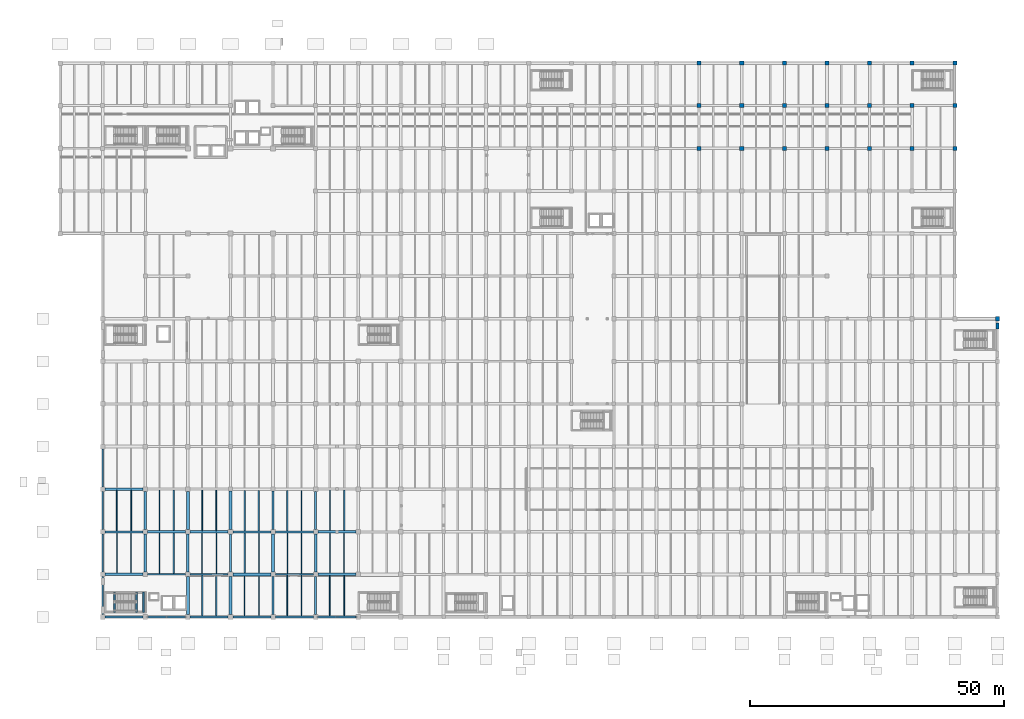
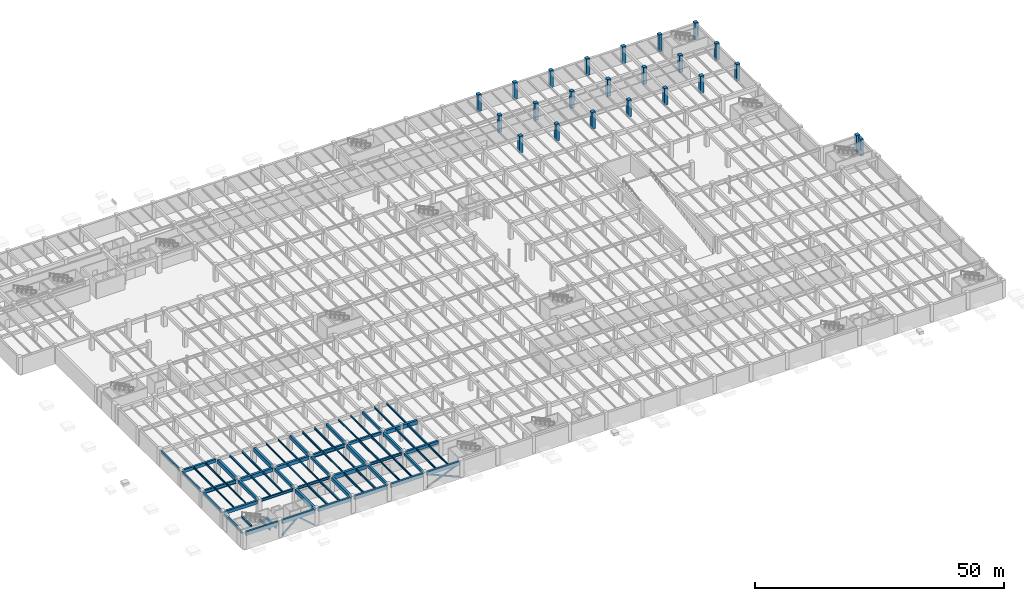
# One storey, part 14 of 63: 72 beams, 23 columns, 5 members.
"""IFC4 building model written with IfcOpenShell, lengths in metres."""

from ifc_helpers import new_model, si_unit, direction, frame, origin, origin_2d, place, context, subcontext, project, spatial, rectangle, hollow_rectangle, i_section, extrude, material, material_profile, profile_set, type_object, element, save


model = new_model("IFC4")

# Units and contexts
model_context = context("Model", 3, precision=1e-05, world=origin(), true_north=direction((0.0, 1.0)))
body_context = subcontext(model_context, "Body", "Model", "MODEL_VIEW")
ifc_project = project(units=[si_unit("LENGTHUNIT", "METRE"), si_unit("AREAUNIT", "SQUARE_METRE"), si_unit("VOLUMEUNIT", "CUBIC_METRE"), si_unit("PLANEANGLEUNIT", "RADIAN"), si_unit("MASSUNIT", "GRAM", prefix="KILO")], contexts=[model_context])

# Site, building, storey
site_placement = place(None, origin())
site = spatial("IfcSite", under=ifc_project, at=site_placement, CompositionType="ELEMENT")
building_placement = place(site_placement, origin())
building = spatial("IfcBuilding", under=site, at=building_placement, Name="Cumbredor Promenade Congress Hotel", CompositionType="ELEMENT")
storey_placement = place(building_placement, frame((0.0, 0.0, -4.199951171875)))
storey = spatial("IfcBuildingStorey", under=building, at=storey_placement, Name="B01", CompositionType="ELEMENT", Elevation=-4.199951171875)

# Columns
ifc_material_1 = material(Name="Concrete C50/60", Category="concrete")
ifc_material_profile_1 = material_profile(ifc_material_1, rectangle(XDim=0.800048828125, YDim=0.800048828125, at=origin_2d()), Name="RC 800x800")
ifc_profile_set_1 = profile_set([ifc_material_profile_1], Name="Concrete C50/60")
column_type_1 = type_object("IfcColumnType", Name="COL-RC-800", PredefinedType="COLUMN", material=ifc_profile_set_1)
for number, where, z_axis, x_axis, name in (
    (1, (126.0, 100.800048828125, 0.0), (0.0, 0.0, 1.0), (1.0, 0.0, 0.0), "B01 Structural Column 209"),
    (2, (126.0, 109.199951171875, 0.0), (0.0, 0.0, 1.0), (1.0, 0.0, 0.0), "B01 Structural Column 210"),
    (3, (126.0, 117.60009765625, 0.0), (0.0, 0.0, 1.0), (1.0, 0.0, 0.0), "B01 Structural Column 211"),
    (4, (134.39990234375, 100.800048828125, 0.0), (0.0, 0.0, 1.0), (1.0, 0.0, 0.0), "B01 Structural Column 223"),
    (5, (134.39990234375, 109.199951171875, 0.0), (0.0, 0.0, 1.0), (1.0, 0.0, 0.0), "B01 Structural Column 224"),
    (6, (134.39990234375, 117.60009765625, 0.0), (0.0, 0.0, 1.0), (1.0, 0.0, 0.0), "B01 Structural Column 225"),
    (7, (142.800048828125, 100.800048828125, 0.0), (0.0, 0.0, 1.0), (1.0, 0.0, 0.0), "B01 Structural Column 237"),
    (8, (142.800048828125, 109.199951171875, 0.0), (0.0, 0.0, 1.0), (1.0, 0.0, 0.0), "B01 Structural Column 238"),
    (9, (142.800048828125, 117.60009765625, 0.0), (0.0, 0.0, 1.0), (1.0, 0.0, 0.0), "B01 Structural Column 239"),
    (10, (151.199951171875, 100.800048828125, 0.0), (0.0, 0.0, 1.0), (1.0, 0.0, 0.0), "B01 Structural Column 251"),
    (11, (151.199951171875, 109.199951171875, 0.0), (0.0, 0.0, 1.0), (1.0, 0.0, 0.0), "B01 Structural Column 252"),
    (12, (151.199951171875, 117.60009765625, 0.0), (0.0, 0.0, 1.0), (1.0, 0.0, 0.0), "B01 Structural Column 253"),
    (13, (159.60009765625, 100.800048828125, 0.0), (0.0, 0.0, 1.0), (1.0, 0.0, 0.0), "B01 Structural Column 265"),
    (14, (159.60009765625, 109.199951171875, 0.0), (0.0, 0.0, 1.0), (1.0, 0.0, 0.0), "B01 Structural Column 266"),
    (15, (159.60009765625, 117.60009765625, 0.0), (0.0, 0.0, 1.0), (1.0, 0.0, 0.0), "B01 Structural Column 267"),
    (16, (168.0, 100.800048828125, 0.0), (0.0, 0.0, 1.0), (1.0, 0.0, 0.0), "B01 Structural Column 279"),
    (17, (168.0, 109.199951171875, 0.0), (0.0, 0.0, 1.0), (1.0, 0.0, 0.0), "B01 Structural Column 280"),
    (18, (168.0, 117.60009765625, 0.0), (0.0, 0.0, 1.0), (1.0, 0.0, 0.0), "B01 Structural Column 281"),
    (19, (176.39990234375, 100.800048828125, 0.0), (0.0, 0.0, 1.0), (1.0, 0.0, 0.0), "B01 Structural Column 293"),
    (20, (176.39990234375, 109.199951171875, 0.0), (0.0, 0.0, 1.0), (1.0, 0.0, 0.0), "B01 Structural Column 294"),
    (21, (176.39990234375, 117.60009765625, 0.0), (0.0, 0.0, 1.0), (1.0, 0.0, 0.0), "B01 Structural Column 295"),
    (22, (184.800048828125, 67.199951171875, 0.0), (0.0, 0.0, 1.0), (1.0, 0.0, 0.0), "B01 Structural Column 303"),
):
    element("IfcColumn", number, at=place(storey_placement, frame(where, z_axis=z_axis, x_axis=x_axis)), inside=storey, type_object=column_type_1, Name=name, PredefinedType="COLUMN", context=body_context, shape_type="SweptSolid", body=[
        extrude(rectangle(XDim=0.800048828125, YDim=0.800048828125, at=origin_2d()), origin(), (0.0, 0.0, 1.0), 4.199951171875),
    ])
ifc_material_profile_2 = material_profile(ifc_material_1, rectangle(XDim=0.60009765625, YDim=1.199951171875, at=origin_2d()), Name="RC PILASTER 1200x600")
ifc_profile_set_2 = profile_set([ifc_material_profile_2], Name="Concrete C50/60")
column_type_2 = type_object("IfcColumnType", Name="PIL-RC-1200x600", PredefinedType="PILASTER", material=ifc_profile_set_2)
column_placement = place(storey_placement, frame((184.800048828125, 65.800048828125, 0.0), z_axis=(0.0, 0.0, 1.0), x_axis=(1.0, 0.0, 0.0)))
element("IfcColumn", 23, at=column_placement, inside=storey, type_object=column_type_2, Name="B01 Acoustic Seismic Pilaster 016", PredefinedType="PILASTER", context=body_context, shape_type="SweptSolid", body=[
    extrude(rectangle(XDim=0.60009765625, YDim=1.199951171875, at=origin_2d()), origin(), (0.0, 0.0, 1.0), 4.199951171875),
])

# Beams
ifc_material_2 = material(Name="Concrete C40/50", Category="concrete")
ifc_material_profile_3 = material_profile(ifc_material_2, rectangle(XDim=0.39990234375, YDim=0.64990234375, at=origin_2d()), Name="RC BEAM 400x650")
ifc_profile_set_3 = profile_set([ifc_material_profile_3], Name="Concrete C40/50")
beam_type_1 = type_object("IfcBeamType", Name="BM-RC-400x650", PredefinedType="BEAM", material=ifc_profile_set_3)
for number, where, z_axis, x_axis, name in (
    (24, (33.60009765625, 17.25, 3.52490234375), (0.0, 1.0, 0.0), (-1.0, 0.0, 0.0), "L00 Y-Grid Beam 079"),
    (25, (42.449951171875, 25.199951171875, 3.52490234375), (1.0, 0.0, 0.0), (0.0, 1.0, 0.0), "L00 X-Grid Beam 103"),
    (26, (50.39990234375, 8.85009765625, 3.52490234375), (0.0, 1.0, 0.0), (-1.0, 0.0, 0.0), "L00 Y-Grid Beam 123"),
    (27, (50.39990234375, 25.64990234375, 3.52490234375), (0.0, 1.0, 0.0), (-1.0, 0.0, 0.0), "L00 Y-Grid Beam 127"),
):
    element("IfcBeam", number, at=place(storey_placement, frame(where, z_axis=z_axis, x_axis=x_axis)), inside=storey, type_object=beam_type_1, Name=name, PredefinedType="BEAM", context=body_context, shape_type="SweptSolid", body=[
        extrude(rectangle(XDim=0.39990234375, YDim=0.64990234375, at=origin_2d()), origin(), (0.0, 0.0, 1.0), 7.5),
    ])
ifc_material_profile_4 = material_profile(ifc_material_2, rectangle(XDim=0.449951171875, YDim=0.75, at=origin_2d()), Name="RC BEAM 450x750")
ifc_profile_set_4 = profile_set([ifc_material_profile_4], Name="Concrete C40/50")
beam_type_2 = type_object("IfcBeamType", Name="BM-RC-450x750", PredefinedType="BEAM", material=ifc_profile_set_4)
for number, where, z_axis, x_axis, name in (
    (28, (8.85009765625, 16.800048828125, 3.474853515625), (1.0, 0.0, 0.0), (0.0, 1.0, 0.0), "L00 X-Grid Beam 012"),
    (29, (8.85009765625, 33.60009765625, 3.474853515625), (1.0, 0.0, 0.0), (0.0, 1.0, 0.0), "L00 X-Grid Beam 016"),
    (30, (16.800048828125, 17.25, 3.474853515625), (0.0, 1.0, 0.0), (-1.0, 0.0, 0.0), "L00 Y-Grid Beam 036"),
    (31, (25.199951171875, 17.25, 3.474853515625), (0.0, 1.0, 0.0), (-1.0, 0.0, 0.0), "L00 Y-Grid Beam 060"),
    (32, (42.0, 8.85009765625, 3.474853515625), (0.0, 1.0, 0.0), (-1.0, 0.0, 0.0), "L00 Y-Grid Beam 100"),
):
    element("IfcBeam", number, at=place(storey_placement, frame(where, z_axis=z_axis, x_axis=x_axis)), inside=storey, type_object=beam_type_2, Name=name, PredefinedType="BEAM", context=body_context, shape_type="SweptSolid", body=[
        extrude(rectangle(XDim=0.449951171875, YDim=0.75, at=origin_2d()), origin(), (0.0, 0.0, 1.0), 7.5),
    ])
beam_1_placement = place(storey_placement, frame((42.0, 25.64990234375, 3.474853515625), z_axis=(0.0, 1.0, 0.0), x_axis=(-1.0, 0.0, 0.0)))
element("IfcBeam", 33, at=beam_1_placement, inside=storey, type_object=beam_type_2, Name="L00 Y-Grid Beam 104", PredefinedType="BEAM", context=body_context, shape_type="SweptSolid", body=[
    extrude(rectangle(XDim=0.449951171875, YDim=0.75, at=origin_2d()), origin(), (0.0, 0.0, 1.0), 7.550048828125),
])
beam_2_placement = place(storey_placement, frame((50.85009765625, 16.800048828125, 3.474853515625), z_axis=(1.0, 0.0, 0.0), x_axis=(0.0, 1.0, 0.0)))
element("IfcBeam", 34, at=beam_2_placement, inside=storey, type_object=beam_type_2, Name="L00 X-Grid Beam 124", PredefinedType="BEAM", context=body_context, shape_type="SweptSolid", body=[
    extrude(rectangle(XDim=0.449951171875, YDim=0.75, at=origin_2d()), origin(), (0.0, 0.0, 1.0), 7.5),
])
ifc_material_profile_5 = material_profile(ifc_material_2, rectangle(XDim=0.5, YDim=0.85009765625, at=origin_2d()), Name="RC BEAM 500x850")
ifc_profile_set_5 = profile_set([ifc_material_profile_5], Name="Concrete C40/50")
beam_type_3 = type_object("IfcBeamType", Name="BM-RC-500x850", PredefinedType="BEAM", material=ifc_profile_set_5)
for number, where, z_axis, x_axis, name in (
    (35, (17.25, 25.199951171875, 3.425048828125), (1.0, 0.0, 0.0), (0.0, 1.0, 0.0), "L00 X-Grid Beam 037"),
    (36, (25.64990234375, 25.199951171875, 3.425048828125), (1.0, 0.0, 0.0), (0.0, 1.0, 0.0), "L00 X-Grid Beam 061"),
    (37, (33.60009765625, 8.85009765625, 3.425048828125), (0.0, 1.0, 0.0), (-1.0, 0.0, 0.0), "L00 Y-Grid Beam 077"),
):
    element("IfcBeam", number, at=place(storey_placement, frame(where, z_axis=z_axis, x_axis=x_axis)), inside=storey, type_object=beam_type_3, Name=name, PredefinedType="BEAM", context=body_context, shape_type="SweptSolid", body=[
        extrude(rectangle(XDim=0.5, YDim=0.85009765625, at=origin_2d()), origin(), (0.0, 0.0, 1.0), 7.5),
    ])
beam_3_placement = place(storey_placement, frame((33.60009765625, 25.64990234375, 3.425048828125), z_axis=(0.0, 1.0, 0.0), x_axis=(-1.0, 0.0, 0.0)))
element("IfcBeam", 38, at=beam_3_placement, inside=storey, type_object=beam_type_3, Name="L00 Y-Grid Beam 081", PredefinedType="BEAM", context=body_context, shape_type="SweptSolid", body=[
    extrude(rectangle(XDim=0.5, YDim=0.85009765625, at=origin_2d()), origin(), (0.0, 0.0, 1.0), 7.550048828125),
])
beam_4_placement = place(storey_placement, frame((50.39990234375, 17.25, 3.425048828125), z_axis=(0.0, 1.0, 0.0), x_axis=(-1.0, 0.0, 0.0)))
element("IfcBeam", 39, at=beam_4_placement, inside=storey, type_object=beam_type_3, Name="L00 Y-Grid Beam 125", PredefinedType="BEAM", context=body_context, shape_type="SweptSolid", body=[
    extrude(rectangle(XDim=0.5, YDim=0.85009765625, at=origin_2d()), origin(), (0.0, 0.0, 1.0), 7.5),
])
ifc_material_profile_6 = material_profile(ifc_material_2, rectangle(XDim=0.550048828125, YDim=0.949951171875, at=origin_2d()), Name="RC BEAM 550x950")
ifc_profile_set_6 = profile_set([ifc_material_profile_6], Name="Concrete C40/50")
beam_type_4 = type_object("IfcBeamType", Name="BM-RC-550x950", PredefinedType="BEAM", material=ifc_profile_set_6)
for number, where, z_axis, x_axis, name in (
    (40, (16.800048828125, 25.64990234375, 3.375), (0.0, 1.0, 0.0), (-1.0, 0.0, 0.0), "L00 Y-Grid Beam 038"),
    (41, (25.199951171875, 8.85009765625, 3.375), (0.0, 1.0, 0.0), (-1.0, 0.0, 0.0), "L00 Y-Grid Beam 058"),
    (42, (25.199951171875, 25.64990234375, 3.375), (0.0, 1.0, 0.0), (-1.0, 0.0, 0.0), "L00 Y-Grid Beam 062"),
    (43, (34.050048828125, 16.800048828125, 3.375), (1.0, 0.0, 0.0), (0.0, 1.0, 0.0), "L00 X-Grid Beam 078"),
    (44, (42.0, 17.25, 3.375), (0.0, 1.0, 0.0), (-1.0, 0.0, 0.0), "L00 Y-Grid Beam 102"),
    (45, (50.85009765625, 25.199951171875, 3.375), (1.0, 0.0, 0.0), (0.0, 1.0, 0.0), "L00 X-Grid Beam 126"),
):
    element("IfcBeam", number, at=place(storey_placement, frame(where, z_axis=z_axis, x_axis=x_axis)), inside=storey, type_object=beam_type_4, Name=name, PredefinedType="BEAM", context=body_context, shape_type="SweptSolid", body=[
        extrude(rectangle(XDim=0.550048828125, YDim=0.949951171875, at=origin_2d()), origin(), (0.0, 0.0, 1.0), 7.5),
    ])
ifc_material_3 = material(Name="Steel ASTM A992 Grade 50", Category="steel")
ifc_material_profile_7 = material_profile(ifc_material_3, i_section(OverallWidth=0.323974609375, OverallDepth=0.611083984375, WebThickness=0.0126953125, FlangeThickness=0.01904296875, at=origin_2d()), Name="W24X104")
ifc_profile_set_7 = profile_set([ifc_material_profile_7], Name="Steel ASTM A992 Grade 50")
beam_type_5 = type_object("IfcBeamType", Name="BM-W24X104", PredefinedType="BEAM", material=ifc_profile_set_7)
for number, where, z_axis, x_axis, name in (
    (46, (17.25, 16.800048828125, 3.54443359375), (1.0, 0.0, 0.0), (0.0, 1.0, 0.0), "L00 X-Grid Beam 035"),
    (47, (25.64990234375, 16.800048828125, 3.54443359375), (1.0, 0.0, 0.0), (0.0, 1.0, 0.0), "L00 X-Grid Beam 059"),
    (48, (42.449951171875, 16.800048828125, 3.54443359375), (1.0, 0.0, 0.0), (0.0, 1.0, 0.0), "L00 X-Grid Beam 101"),
):
    element("IfcBeam", number, at=place(storey_placement, frame(where, z_axis=z_axis, x_axis=x_axis)), inside=storey, type_object=beam_type_5, Name=name, PredefinedType="BEAM", context=body_context, shape_type="SweptSolid", body=[
        extrude(i_section(OverallWidth=0.323974609375, OverallDepth=0.611083984375, WebThickness=0.0126953125, FlangeThickness=0.01904296875, at=origin_2d()), origin(), (0.0, 0.0, 1.0), 7.5),
    ])
ifc_material_profile_8 = material_profile(ifc_material_3, i_section(OverallWidth=0.39990234375, OverallDepth=0.85498046875, WebThickness=0.018310546875, FlangeThickness=0.029296875, at=origin_2d()), Name="W33X201")
ifc_profile_set_8 = profile_set([ifc_material_profile_8], Name="Steel ASTM A992 Grade 50")
beam_type_6 = type_object("IfcBeamType", Name="BM-W33X201", PredefinedType="BEAM", material=ifc_profile_set_8)
for number, where, z_axis, x_axis, name in (
    (49, (8.85009765625, 25.199951171875, 3.42236328125), (1.0, 0.0, 0.0), (0.0, 1.0, 0.0), "L00 X-Grid Beam 014"),
    (50, (34.050048828125, 25.199951171875, 3.42236328125), (1.0, 0.0, 0.0), (0.0, 1.0, 0.0), "L00 X-Grid Beam 080"),
):
    element("IfcBeam", number, at=place(storey_placement, frame(where, z_axis=z_axis, x_axis=x_axis)), inside=storey, type_object=beam_type_6, Name=name, PredefinedType="BEAM", context=body_context, shape_type="SweptSolid", body=[
        extrude(i_section(OverallWidth=0.39990234375, OverallDepth=0.85498046875, WebThickness=0.018310546875, FlangeThickness=0.029296875, at=origin_2d()), origin(), (0.0, 0.0, 1.0), 7.5),
    ])
ifc_material_profile_9 = material_profile(ifc_material_3, i_section(OverallWidth=0.202880859375, OverallDepth=0.302978515625, WebThickness=0.007568359375, FlangeThickness=0.01318359375, at=origin_2d()), Name="W12X40")
ifc_profile_set_9 = profile_set([ifc_material_profile_9], Name="Steel ASTM A992 Grade 50")
beam_type_7 = type_object("IfcBeamType", Name="JST-W12X40", PredefinedType="JOIST", material=ifc_profile_set_9)
for number, where, z_axis, x_axis, name in (
    (51, (11.199951171875, 17.02490234375, 3.698486328125), (0.0, 1.0, 0.0), (-1.0, 0.0, 0.0), "L00 Secondary Floor Joist 0009"),
    (52, (14.0, 17.02490234375, 3.698486328125), (0.0, 1.0, 0.0), (-1.0, 0.0, 0.0), "L00 Secondary Floor Joist 0010"),
):
    element("IfcBeam", number, at=place(storey_placement, frame(where, z_axis=z_axis, x_axis=x_axis)), inside=storey, type_object=beam_type_7, Name=name, PredefinedType="JOIST", context=body_context, shape_type="SweptSolid", body=[
        extrude(i_section(OverallWidth=0.202880859375, OverallDepth=0.302978515625, WebThickness=0.007568359375, FlangeThickness=0.01318359375, at=origin_2d()), origin(), (0.0, 0.0, 1.0), 7.97509765625),
    ])
for number, where, z_axis, x_axis, name in (
    (53, (28.0, 16.9619140625, 3.698486328125), (0.0, 1.0, 0.0), (-1.0, 0.0, 0.0), "L00 Secondary Floor Joist 0044"),
    (54, (30.800048828125, 16.9619140625, 3.698486328125), (0.0, 1.0, 0.0), (-1.0, 0.0, 0.0), "L00 Secondary Floor Joist 0045"),
):
    element("IfcBeam", number, at=place(storey_placement, frame(where, z_axis=z_axis, x_axis=x_axis)), inside=storey, type_object=beam_type_7, Name=name, PredefinedType="JOIST", context=body_context, shape_type="SweptSolid", body=[
        extrude(i_section(OverallWidth=0.202880859375, OverallDepth=0.302978515625, WebThickness=0.007568359375, FlangeThickness=0.01318359375, at=origin_2d()), origin(), (0.0, 0.0, 1.0), 7.988037109375),
    ])
ifc_material_profile_10 = material_profile(ifc_material_3, i_section(OverallWidth=0.2548828125, OverallDepth=0.35693359375, WebThickness=0.010498046875, FlangeThickness=0.018310546875, at=origin_2d()), Name="W14X68")
ifc_profile_set_10 = profile_set([ifc_material_profile_10], Name="Steel ASTM A992 Grade 50")
beam_type_8 = type_object("IfcBeamType", Name="JST-W14X68", PredefinedType="JOIST", material=ifc_profile_set_10)
for number, where, z_axis, x_axis, name in (
    (55, (19.60009765625, 16.9619140625, 3.67138671875), (0.0, 1.0, 0.0), (-1.0, 0.0, 0.0), "L00 Secondary Floor Joist 0025"),
    (56, (22.39990234375, 16.9619140625, 3.67138671875), (0.0, 1.0, 0.0), (-1.0, 0.0, 0.0), "L00 Secondary Floor Joist 0026"),
):
    element("IfcBeam", number, at=place(storey_placement, frame(where, z_axis=z_axis, x_axis=x_axis)), inside=storey, type_object=beam_type_8, Name=name, PredefinedType="JOIST", context=body_context, shape_type="SweptSolid", body=[
        extrude(i_section(OverallWidth=0.2548828125, OverallDepth=0.35693359375, WebThickness=0.010498046875, FlangeThickness=0.018310546875, at=origin_2d()), origin(), (0.0, 0.0, 1.0), 7.988037109375),
    ])
for number, where, z_axis, x_axis, name in (
    (57, (36.39990234375, 17.074951171875, 3.67138671875), (0.0, 1.0, 0.0), (-1.0, 0.0, 0.0), "L00 Secondary Floor Joist 0060"),
    (58, (39.199951171875, 17.074951171875, 3.67138671875), (0.0, 1.0, 0.0), (-1.0, 0.0, 0.0), "L00 Secondary Floor Joist 0061"),
):
    element("IfcBeam", number, at=place(storey_placement, frame(where, z_axis=z_axis, x_axis=x_axis)), inside=storey, type_object=beam_type_8, Name=name, PredefinedType="JOIST", context=body_context, shape_type="SweptSolid", body=[
        extrude(i_section(OverallWidth=0.2548828125, OverallDepth=0.35693359375, WebThickness=0.010498046875, FlangeThickness=0.018310546875, at=origin_2d()), origin(), (0.0, 0.0, 1.0), 7.925048828125),
    ])
for number, where, z_axis, x_axis, name in (
    (59, (44.800048828125, 25.39990234375, 3.67138671875), (0.0, 1.0, 0.0), (-1.0, 0.0, 0.0), "L00 Secondary Floor Joist 0080"),
    (60, (47.60009765625, 25.39990234375, 3.67138671875), (0.0, 1.0, 0.0), (-1.0, 0.0, 0.0), "L00 Secondary Floor Joist 0081"),
):
    element("IfcBeam", number, at=place(storey_placement, frame(where, z_axis=z_axis, x_axis=x_axis)), inside=storey, type_object=beam_type_8, Name=name, PredefinedType="JOIST", context=body_context, shape_type="SweptSolid", body=[
        extrude(i_section(OverallWidth=0.2548828125, OverallDepth=0.35693359375, WebThickness=0.010498046875, FlangeThickness=0.018310546875, at=origin_2d()), origin(), (0.0, 0.0, 1.0), 7.9501953125),
    ])
for number, where, z_axis, x_axis, name in (
    (61, (53.199951171875, 25.47509765625, 3.67138671875), (0.0, 1.0, 0.0), (-1.0, 0.0, 0.0), "L00 Secondary Floor Joist 0100"),
    (62, (56.0, 25.47509765625, 3.67138671875), (0.0, 1.0, 0.0), (-1.0, 0.0, 0.0), "L00 Secondary Floor Joist 0101"),
):
    element("IfcBeam", number, at=place(storey_placement, frame(where, z_axis=z_axis, x_axis=x_axis)), inside=storey, type_object=beam_type_8, Name=name, PredefinedType="JOIST", context=body_context, shape_type="SweptSolid", body=[
        extrude(i_section(OverallWidth=0.2548828125, OverallDepth=0.35693359375, WebThickness=0.010498046875, FlangeThickness=0.018310546875, at=origin_2d()), origin(), (0.0, 0.0, 1.0), 7.9248046875),
    ])
ifc_material_profile_11 = material_profile(ifc_material_3, i_section(OverallWidth=0.180908203125, OverallDepth=0.4169921875, WebThickness=0.010986328125, FlangeThickness=0.018310546875, at=origin_2d()), Name="W16X57")
ifc_profile_set_11 = profile_set([ifc_material_profile_11], Name="Steel ASTM A992 Grade 50")
beam_type_9 = type_object("IfcBeamType", Name="JST-W16X57", PredefinedType="JOIST", material=ifc_profile_set_11)
for number, where, z_axis, x_axis, name in (
    (63, (11.199951171875, 25.39990234375, 3.641357421875), (0.0, 1.0, 0.0), (-1.0, 0.0, 0.0), "L00 Secondary Floor Joist 0011"),
    (64, (14.0, 25.39990234375, 3.641357421875), (0.0, 1.0, 0.0), (-1.0, 0.0, 0.0), "L00 Secondary Floor Joist 0012"),
):
    element("IfcBeam", number, at=place(storey_placement, frame(where, z_axis=z_axis, x_axis=x_axis)), inside=storey, type_object=beam_type_9, Name=name, PredefinedType="JOIST", context=body_context, shape_type="SweptSolid", body=[
        extrude(i_section(OverallWidth=0.180908203125, OverallDepth=0.4169921875, WebThickness=0.010986328125, FlangeThickness=0.018310546875, at=origin_2d()), origin(), (0.0, 0.0, 1.0), 7.97509765625),
    ])
for number, where, z_axis, x_axis, name in (
    (65, (28.0, 25.449951171875, 3.641357421875), (0.0, 1.0, 0.0), (-1.0, 0.0, 0.0), "L00 Secondary Floor Joist 0046"),
    (66, (30.800048828125, 25.449951171875, 3.641357421875), (0.0, 1.0, 0.0), (-1.0, 0.0, 0.0), "L00 Secondary Floor Joist 0047"),
):
    element("IfcBeam", number, at=place(storey_placement, frame(where, z_axis=z_axis, x_axis=x_axis)), inside=storey, type_object=beam_type_9, Name=name, PredefinedType="JOIST", context=body_context, shape_type="SweptSolid", body=[
        extrude(i_section(OverallWidth=0.180908203125, OverallDepth=0.4169921875, WebThickness=0.010986328125, FlangeThickness=0.018310546875, at=origin_2d()), origin(), (0.0, 0.0, 1.0), 7.949951171875),
    ])
for number, where, z_axis, x_axis, name in (
    (67, (44.800048828125, 8.625, 3.641357421875), (0.0, 1.0, 0.0), (-1.0, 0.0, 0.0), "L00 Secondary Floor Joist 0076"),
    (68, (47.60009765625, 8.625, 3.641357421875), (0.0, 1.0, 0.0), (-1.0, 0.0, 0.0), "L00 Secondary Floor Joist 0077"),
):
    element("IfcBeam", number, at=place(storey_placement, frame(where, z_axis=z_axis, x_axis=x_axis)), inside=storey, type_object=beam_type_9, Name=name, PredefinedType="JOIST", context=body_context, shape_type="SweptSolid", body=[
        extrude(i_section(OverallWidth=0.180908203125, OverallDepth=0.4169921875, WebThickness=0.010986328125, FlangeThickness=0.018310546875, at=origin_2d()), origin(), (0.0, 0.0, 1.0), 8.012939453125),
    ])
for number, where, z_axis, x_axis, name in (
    (69, (53.199951171875, 8.625, 3.641357421875), (0.0, 1.0, 0.0), (-1.0, 0.0, 0.0), "L00 Secondary Floor Joist 0096"),
    (70, (56.0, 8.625, 3.641357421875), (0.0, 1.0, 0.0), (-1.0, 0.0, 0.0), "L00 Secondary Floor Joist 0097"),
):
    element("IfcBeam", number, at=place(storey_placement, frame(where, z_axis=z_axis, x_axis=x_axis)), inside=storey, type_object=beam_type_9, Name=name, PredefinedType="JOIST", context=body_context, shape_type="SweptSolid", body=[
        extrude(i_section(OverallWidth=0.180908203125, OverallDepth=0.4169921875, WebThickness=0.010986328125, FlangeThickness=0.018310546875, at=origin_2d()), origin(), (0.0, 0.0, 1.0), 7.949951171875),
    ])
ifc_material_profile_12 = material_profile(ifc_material_3, i_section(OverallWidth=0.280029296875, OverallDepth=0.462890625, WebThickness=0.0107421875, FlangeThickness=0.017333984375, at=origin_2d()), Name="W18X76")
ifc_profile_set_12 = profile_set([ifc_material_profile_12], Name="Steel ASTM A992 Grade 50")
beam_type_10 = type_object("IfcBeamType", Name="JST-W18X76", PredefinedType="JOIST", material=ifc_profile_set_12)
for number, where, z_axis, x_axis, name in (
    (71, (19.60009765625, 25.449951171875, 3.618408203125), (0.0, 1.0, 0.0), (-1.0, 0.0, 0.0), "L00 Secondary Floor Joist 0027"),
    (72, (22.39990234375, 25.449951171875, 3.618408203125), (0.0, 1.0, 0.0), (-1.0, 0.0, 0.0), "L00 Secondary Floor Joist 0028"),
):
    element("IfcBeam", number, at=place(storey_placement, frame(where, z_axis=z_axis, x_axis=x_axis)), inside=storey, type_object=beam_type_10, Name=name, PredefinedType="JOIST", context=body_context, shape_type="SweptSolid", body=[
        extrude(i_section(OverallWidth=0.280029296875, OverallDepth=0.462890625, WebThickness=0.0107421875, FlangeThickness=0.017333984375, at=origin_2d()), origin(), (0.0, 0.0, 1.0), 7.949951171875),
    ])
for number, where, z_axis, x_axis, name in (
    (73, (28.0, 8.625, 3.618408203125), (0.0, 1.0, 0.0), (-1.0, 0.0, 0.0), "L00 Secondary Floor Joist 0042"),
    (74, (30.800048828125, 8.625, 3.618408203125), (0.0, 1.0, 0.0), (-1.0, 0.0, 0.0), "L00 Secondary Floor Joist 0043"),
):
    element("IfcBeam", number, at=place(storey_placement, frame(where, z_axis=z_axis, x_axis=x_axis)), inside=storey, type_object=beam_type_10, Name=name, PredefinedType="JOIST", context=body_context, shape_type="SweptSolid", body=[
        extrude(i_section(OverallWidth=0.280029296875, OverallDepth=0.462890625, WebThickness=0.0107421875, FlangeThickness=0.017333984375, at=origin_2d()), origin(), (0.0, 0.0, 1.0), 8.012939453125),
    ])
for number, where, z_axis, x_axis, name in (
    (75, (36.39990234375, 25.39990234375, 3.618408203125), (0.0, 1.0, 0.0), (-1.0, 0.0, 0.0), "L00 Secondary Floor Joist 0062"),
    (76, (39.199951171875, 25.39990234375, 3.618408203125), (0.0, 1.0, 0.0), (-1.0, 0.0, 0.0), "L00 Secondary Floor Joist 0063"),
):
    element("IfcBeam", number, at=place(storey_placement, frame(where, z_axis=z_axis, x_axis=x_axis)), inside=storey, type_object=beam_type_10, Name=name, PredefinedType="JOIST", context=body_context, shape_type="SweptSolid", body=[
        extrude(i_section(OverallWidth=0.280029296875, OverallDepth=0.462890625, WebThickness=0.0107421875, FlangeThickness=0.017333984375, at=origin_2d()), origin(), (0.0, 0.0, 1.0), 7.925048828125),
    ])
ifc_material_profile_13 = material_profile(ifc_material_3, i_section(OverallWidth=0.214111328125, OverallDepth=0.549072265625, WebThickness=0.0146484375, FlangeThickness=0.023681640625, at=origin_2d()), Name="W21X93")
ifc_profile_set_13 = profile_set([ifc_material_profile_13], Name="Steel ASTM A992 Grade 50")
beam_type_11 = type_object("IfcBeamType", Name="JST-W21X93", PredefinedType="JOIST", material=ifc_profile_set_13)
for number, where, z_axis, x_axis, name in (
    (77, (36.39990234375, 8.625, 3.575439453125), (0.0, 1.0, 0.0), (-1.0, 0.0, 0.0), "L00 Secondary Floor Joist 0058"),
    (78, (39.199951171875, 8.625, 3.575439453125), (0.0, 1.0, 0.0), (-1.0, 0.0, 0.0), "L00 Secondary Floor Joist 0059"),
):
    element("IfcBeam", number, at=place(storey_placement, frame(where, z_axis=z_axis, x_axis=x_axis)), inside=storey, type_object=beam_type_11, Name=name, PredefinedType="JOIST", context=body_context, shape_type="SweptSolid", body=[
        extrude(i_section(OverallWidth=0.214111328125, OverallDepth=0.549072265625, WebThickness=0.0146484375, FlangeThickness=0.023681640625, at=origin_2d()), origin(), (0.0, 0.0, 1.0), 7.89990234375),
    ])
for number, where, z_axis, x_axis, name in (
    (79, (44.800048828125, 16.9619140625, 3.575439453125), (0.0, 1.0, 0.0), (-1.0, 0.0, 0.0), "L00 Secondary Floor Joist 0078"),
    (80, (47.60009765625, 16.9619140625, 3.575439453125), (0.0, 1.0, 0.0), (-1.0, 0.0, 0.0), "L00 Secondary Floor Joist 0079"),
):
    element("IfcBeam", number, at=place(storey_placement, frame(where, z_axis=z_axis, x_axis=x_axis)), inside=storey, type_object=beam_type_11, Name=name, PredefinedType="JOIST", context=body_context, shape_type="SweptSolid", body=[
        extrude(i_section(OverallWidth=0.214111328125, OverallDepth=0.549072265625, WebThickness=0.0146484375, FlangeThickness=0.023681640625, at=origin_2d()), origin(), (0.0, 0.0, 1.0), 8.0380859375),
    ])
for number, where, z_axis, x_axis, name in (
    (81, (53.199951171875, 17.02490234375, 3.575439453125), (0.0, 1.0, 0.0), (-1.0, 0.0, 0.0), "L00 Secondary Floor Joist 0098"),
    (82, (56.0, 17.02490234375, 3.575439453125), (0.0, 1.0, 0.0), (-1.0, 0.0, 0.0), "L00 Secondary Floor Joist 0099"),
):
    element("IfcBeam", number, at=place(storey_placement, frame(where, z_axis=z_axis, x_axis=x_axis)), inside=storey, type_object=beam_type_11, Name=name, PredefinedType="JOIST", context=body_context, shape_type="SweptSolid", body=[
        extrude(i_section(OverallWidth=0.214111328125, OverallDepth=0.549072265625, WebThickness=0.0146484375, FlangeThickness=0.023681640625, at=origin_2d()), origin(), (0.0, 0.0, 1.0), 7.900146484375),
    ])
ifc_material_profile_14 = material_profile(ifc_material_2, rectangle(XDim=0.300048828125, YDim=0.5, at=origin_2d()), Name="RC LINTEL 300x500")
ifc_profile_set_14 = profile_set([ifc_material_profile_14], Name="Concrete C40/50")
beam_type_12 = type_object("IfcBeamType", Name="LN-RC-300x500", PredefinedType="LINTEL", material=ifc_profile_set_14)
for number, where, z_axis, x_axis, name in (
    (83, (16.5, 9.330078125, 1.64990234375), (0.0, 1.0, 0.0), (-1.0, 0.0, 0.0), "B01 Stair ST-04 Landing Ledger Beam E"),
    (84, (15.10009765625, 9.330078125, 1.64990234375), (0.0, 1.0, 0.0), (-1.0, 0.0, 0.0), "B01 Stair ST-04 Landing Ledger Beam W"),
    (85, (10.75, 9.330078125, 3.949951171875), (0.0, 1.0, 0.0), (-1.0, 0.0, 0.0), "L00 Stair ST-04 Well Header Trimmer Beam"),
):
    element("IfcBeam", number, at=place(storey_placement, frame(where, z_axis=z_axis, x_axis=x_axis)), inside=storey, type_object=beam_type_12, Name=name, PredefinedType="LINTEL", context=body_context, shape_type="SweptSolid", body=[
        extrude(rectangle(XDim=0.300048828125, YDim=0.5, at=origin_2d()), origin(), (0.0, 0.0, 1.0), 3.969970703125),
    ])
ifc_material_profile_15 = material_profile(ifc_material_2, rectangle(XDim=0.449951171875, YDim=0.89990234375, at=origin_2d()), Name="RC SPANDREL 450x900")
ifc_profile_set_15 = profile_set([ifc_material_profile_15], Name="Concrete C40/50")
beam_type_13 = type_object("IfcBeamType", Name="SP-RC-450x900", PredefinedType="SPANDREL", material=ifc_profile_set_15)
for number, where, z_axis, x_axis, name in (
    (86, (8.85009765625, 8.39990234375, 3.39990234375), (1.0, 0.0, 0.0), (0.0, 1.0, 0.0), "L00 X-Grid Beam 010"),
    (87, (17.25, 8.39990234375, 3.39990234375), (1.0, 0.0, 0.0), (0.0, 1.0, 0.0), "L00 X-Grid Beam 034"),
    (88, (25.64990234375, 8.39990234375, 3.39990234375), (1.0, 0.0, 0.0), (0.0, 1.0, 0.0), "L00 X-Grid Beam 057"),
    (89, (34.050048828125, 8.39990234375, 3.39990234375), (1.0, 0.0, 0.0), (0.0, 1.0, 0.0), "L00 X-Grid Beam 076"),
    (90, (42.449951171875, 8.39990234375, 3.39990234375), (1.0, 0.0, 0.0), (0.0, 1.0, 0.0), "L00 X-Grid Beam 099"),
    (91, (50.85009765625, 8.39990234375, 3.39990234375), (1.0, 0.0, 0.0), (0.0, 1.0, 0.0), "L00 X-Grid Beam 122"),
):
    element("IfcBeam", number, at=place(storey_placement, frame(where, z_axis=z_axis, x_axis=x_axis)), inside=storey, type_object=beam_type_13, Name=name, PredefinedType="SPANDREL", context=body_context, shape_type="SweptSolid", body=[
        extrude(rectangle(XDim=0.449951171875, YDim=0.89990234375, at=origin_2d()), origin(), (0.0, 0.0, 1.0), 7.5),
    ])
ifc_material_profile_16 = material_profile(ifc_material_3, i_section(OverallWidth=0.323974609375, OverallDepth=0.611083984375, WebThickness=0.0126953125, FlangeThickness=0.01904296875, at=origin_2d()), Name="W24X104")
ifc_profile_set_16 = profile_set([ifc_material_profile_16], Name="Steel ASTM A992 Grade 50")
beam_type_14 = type_object("IfcBeamType", Name="SP-W24X104", PredefinedType="SPANDREL", material=ifc_profile_set_16)
for number, where, z_axis, x_axis, name in (
    (92, (8.39990234375, 8.85009765625, 3.54443359375), (0.0, 1.0, 0.0), (-1.0, 0.0, 0.0), "L00 Y-Grid Beam 011"),
    (93, (8.39990234375, 17.25, 3.54443359375), (0.0, 1.0, 0.0), (-1.0, 0.0, 0.0), "L00 Y-Grid Beam 013"),
    (94, (8.39990234375, 25.64990234375, 3.54443359375), (0.0, 1.0, 0.0), (-1.0, 0.0, 0.0), "L00 Y-Grid Beam 015"),
    (95, (8.39990234375, 34.050048828125, 3.54443359375), (0.0, 1.0, 0.0), (-1.0, 0.0, 0.0), "L00 Y-Grid Beam 017"),
):
    element("IfcBeam", number, at=place(storey_placement, frame(where, z_axis=z_axis, x_axis=x_axis)), inside=storey, type_object=beam_type_14, Name=name, PredefinedType="SPANDREL", context=body_context, shape_type="SweptSolid", body=[
        extrude(i_section(OverallWidth=0.323974609375, OverallDepth=0.611083984375, WebThickness=0.0126953125, FlangeThickness=0.01904296875, at=origin_2d()), origin(), (0.0, 0.0, 1.0), 7.5),
    ])

# Members
ifc_material_4 = material(Name="Steel ASTM A500 Grade C", Category="steel")
ifc_material_profile_17 = material_profile(ifc_material_4, hollow_rectangle(XDim=0.300048828125, YDim=0.300048828125, WallThickness=0.01611328125, at=origin_2d()), Name="HSS 300x300x16")
ifc_profile_set_17 = profile_set([ifc_material_profile_17], Name="Steel ASTM A500 Grade C")
member_type = type_object("IfcMemberType", Name="Seismic Frame Brace CBF-1", PredefinedType="BRACE", material=ifc_profile_set_17)
for number, where, z_axis, x_axis, name in (
    (96, (17.25, 8.39990234375, 0.0), (0.756687852105, 0.0, 0.653776333677), (0.0, 1.0, 0.0), "B01 Chevron Seismic Brace 5A"),
    (97, (24.75, 8.39990234375, 0.0), (-0.756687852105, 0.0, 0.653776333677), (0.0, -1.0, 0.0), "B01 Chevron Seismic Brace 5B"),
):
    element("IfcMember", number, at=place(storey_placement, frame(where, z_axis=z_axis, x_axis=x_axis)), inside=storey, type_object=member_type, Name=name, PredefinedType="BRACE", context=body_context, shape_type="SweptSolid", body=[
        extrude(hollow_rectangle(XDim=0.300048828125, YDim=0.300048828125, WallThickness=0.01611328125, at=origin_2d()), origin(), (0.0, 0.0, 1.0), 4.955810546875),
    ])
member_placement = place(storey_placement, frame((50.85009765625, 8.39990234375, 0.0), z_axis=(0.918002030755, 0.0, 0.396575681971), x_axis=(0.0, 1.0, 0.0)))
element("IfcMember", 98, at=member_placement, inside=storey, type_object=member_type, Name="B01 X-Brace Continuous Diagonal 6A", PredefinedType="BRACE", context=body_context, shape_type="SweptSolid", body=[
    extrude(hollow_rectangle(XDim=0.300048828125, YDim=0.300048828125, WallThickness=0.01611328125, at=origin_2d()), origin(), (0.0, 0.0, 1.0), 8.169921875),
])
for number, where, z_axis, x_axis, name in (
    (99, (58.35009765625, 8.39990234375, 0.0), (-0.918021381859, 0.0, 0.396530884611), (0.0, -1.0, 0.0), "B01 X-Brace Lower Split Diagonal 6B1"),
    (100, (54.379638671875, 8.39990234375, 1.715087890625), (-0.91798827974, 0.0, 0.396607511604), (0.0, -1.0, 0.0), "B01 X-Brace Upper Split Diagonal 6B2"),
):
    element("IfcMember", number, at=place(storey_placement, frame(where, z_axis=z_axis, x_axis=x_axis)), inside=storey, type_object=member_type, Name=name, PredefinedType="BRACE", context=body_context, shape_type="SweptSolid", body=[
        extrude(hollow_rectangle(XDim=0.300048828125, YDim=0.300048828125, WallThickness=0.01611328125, at=origin_2d()), origin(), (0.0, 0.0, 1.0), 3.844970703125),
    ])

save(model, "model.ifc")
